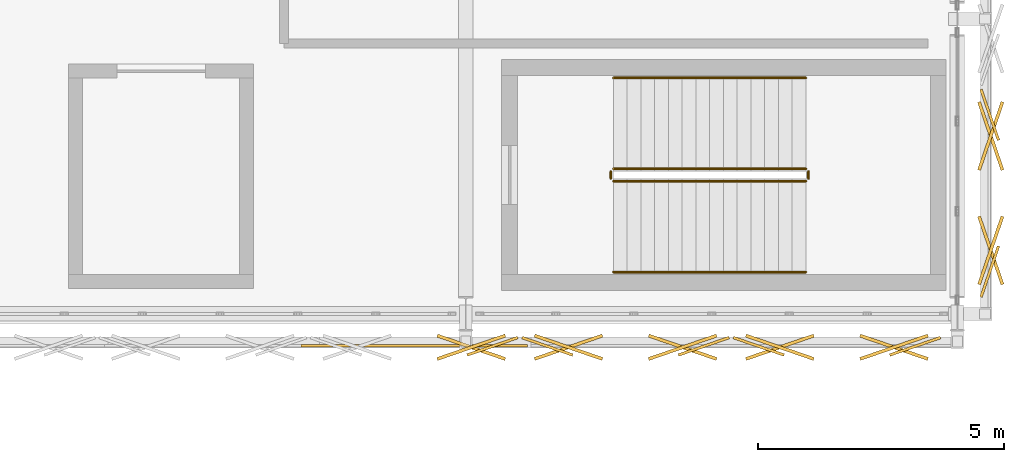
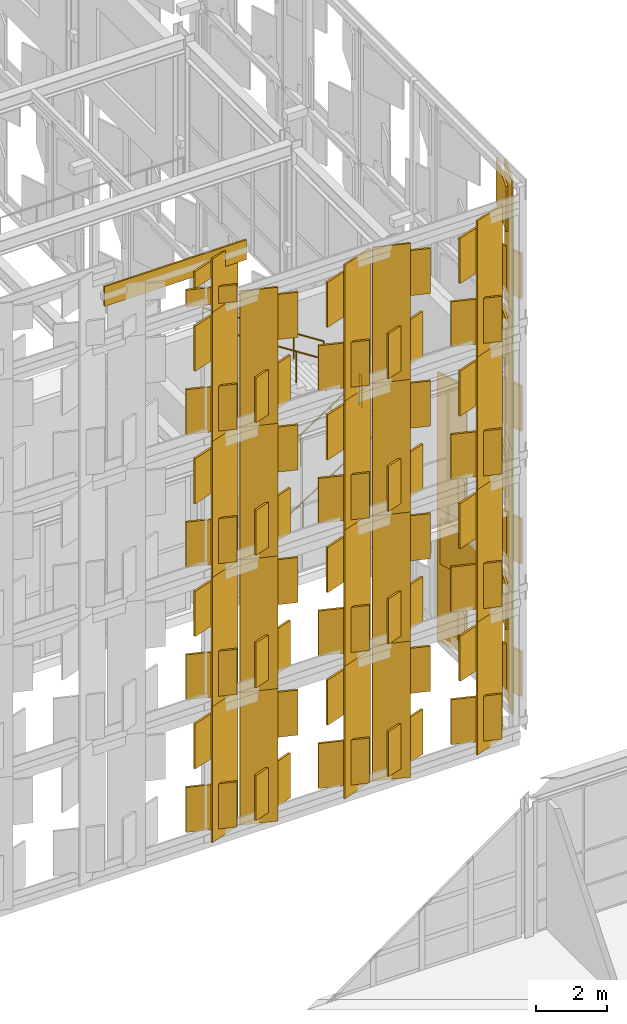
# One storey, part 232 of 239: 81 coverings, 6 railings.
"""IFC4 building model written with IfcOpenShell, lengths in metres."""

from ifc_helpers import new_model, si_unit, direction, frame, origin, origin_2d, place, context, subcontext, project, spatial, rectangle, circle, extrude, material, layer, layer_set, type_object, element, save


model = new_model("IFC4")

# Units and contexts
model_context = context("Model", 3, precision=1e-05, world=origin(), true_north=direction((0.0, 1.0)))
body_context = subcontext(model_context, "Body", "Model", "MODEL_VIEW")
ifc_project = project(units=[si_unit("LENGTHUNIT", "METRE"), si_unit("AREAUNIT", "SQUARE_METRE"), si_unit("VOLUMEUNIT", "CUBIC_METRE"), si_unit("PLANEANGLEUNIT", "RADIAN"), si_unit("MASSUNIT", "GRAM", prefix="KILO")], contexts=[model_context])

# Site, building, storey
site_placement = place(None, origin())
site = spatial("IfcSite", under=ifc_project, at=site_placement, CompositionType="ELEMENT")
building_placement = place(site_placement, origin())
building = spatial("IfcBuilding", under=site, at=building_placement, Name="Kaldris Quays Convention Centre", CompositionType="ELEMENT")
storey_placement = place(building_placement, frame((0.0, 0.0, 11.39990234375)))
storey = spatial("IfcBuildingStorey", under=building, at=storey_placement, Name="L02", CompositionType="ELEMENT", Elevation=11.39990234375)

# Railings
ifc_material_1 = material(Name="Steel S355J2", Category="steel")
railing_type_1 = type_object("IfcRailingType", Name="INTERIOR GUARDRAIL GR01", PredefinedType="GUARDRAIL", material=ifc_material_1)
railing_1_placement = place(storey_placement, frame((197.0, 58.699951171875, 0.18017578125)))
element("IfcRailing", 1, at=railing_1_placement, inside=storey, type_object=railing_type_1, Name="L02 ST09 Stair Guardrail 1", PredefinedType="GUARDRAIL", context=body_context, shape_type="SweptSolid", body=[
    extrude(circle(Radius=0.02392578125, at=origin_2d()), frame((0.0, 0.0, 1.076171875), z_axis=(0.841171666519, 0.0, 0.540768182723), x_axis=(0.0, 1.0, 0.0)), (0.0, 0.0, 1.0), 4.66015625),
    extrude(circle(Radius=0.02099609375, at=origin_2d()), origin(), (0.0, 0.0, 1.0), 1.052001953125),
    extrude(circle(Radius=0.02099609375, at=origin_2d()), frame((0.97998046875, 0.0, 0.6298828125)), (0.0, 0.0, 1.0), 1.052001953125),
    extrude(circle(Radius=0.02099609375, at=origin_2d()), frame((1.9599609375, 0.0, 1.260009765625)), (0.0, 0.0, 1.0), 1.052001953125),
    extrude(circle(Radius=0.02099609375, at=origin_2d()), frame((2.93994140625, 0.0, 1.89013671875)), (0.0, 0.0, 1.0), 1.052001953125),
    extrude(circle(Radius=0.02099609375, at=origin_2d()), frame((3.919921875, 0.0, 2.52001953125)), (0.0, 0.0, 1.0), 1.052001953125),
])
railing_2_placement = place(storey_placement, frame((200.969970703125, 58.75, 2.7001953125)))
element("IfcRailing", 2, at=railing_2_placement, inside=storey, type_object=railing_type_1, Name="L02 ST09 Stair Guardrail 2", PredefinedType="GUARDRAIL", context=body_context, shape_type="SweptSolid", body=[
    extrude(circle(Radius=0.02392578125, at=origin_2d()), frame((0.0, 0.0, 1.076171875), z_axis=(0.0, 1.0, 0.0), x_axis=(-1.0, 0.0, 0.0)), (0.0, 0.0, 1.0), 0.14990234375),
    extrude(circle(Radius=0.02099609375, at=origin_2d()), origin(), (0.0, 0.0, 1.0), 1.052001953125),
    extrude(circle(Radius=0.02099609375, at=origin_2d()), frame((0.0, 0.14990234375, 0.0)), (0.0, 0.0, 1.0), 1.052001953125),
])
railing_3_placement = place(storey_placement, frame((200.919921875, 58.949951171875, 2.880126953125)))
element("IfcRailing", 3, at=railing_3_placement, inside=storey, type_object=railing_type_1, Name="L02 ST09 Stair Guardrail 3", PredefinedType="GUARDRAIL", context=body_context, shape_type="SweptSolid", body=[
    extrude(circle(Radius=0.02392578125, at=origin_2d()), frame((0.0, 0.0, 1.076171875), z_axis=(-0.841171666519, 0.0, 0.540768182723), x_axis=(0.0, -1.0, 0.0)), (0.0, 0.0, 1.0), 4.66015625),
    extrude(circle(Radius=0.02099609375, at=origin_2d()), origin(), (0.0, 0.0, 1.0), 1.052001953125),
    extrude(circle(Radius=0.02099609375, at=origin_2d()), frame((-0.97998046875, 0.0, 0.6298828125)), (0.0, 0.0, 1.0), 1.052001953125),
    extrude(circle(Radius=0.02099609375, at=origin_2d()), frame((-1.9599609375, 0.0, 1.260009765625)), (0.0, 0.0, 1.0), 1.052001953125),
    extrude(circle(Radius=0.02099609375, at=origin_2d()), frame((-2.93994140625, 0.0, 1.89013671875)), (0.0, 0.0, 1.0), 1.052001953125),
    extrude(circle(Radius=0.02099609375, at=origin_2d()), frame((-3.919921875, 0.0, 2.52001953125)), (0.0, 0.0, 1.0), 1.052001953125),
])
railing_4_placement = place(storey_placement, frame((196.949951171875, 58.75, 0.0)))
element("IfcRailing", 4, at=railing_4_placement, inside=storey, type_object=railing_type_1, Name="L02 ST09 Stair Guardrail 4", PredefinedType="GUARDRAIL", context=body_context, shape_type="SweptSolid", body=[
    extrude(circle(Radius=0.02392578125, at=origin_2d()), frame((0.0, 0.0, 1.076171875), z_axis=(0.0, 1.0, 0.0), x_axis=(-1.0, 0.0, 0.0)), (0.0, 0.0, 1.0), 0.14990234375),
    extrude(circle(Radius=0.02099609375, at=origin_2d()), origin(), (0.0, 0.0, 1.0), 1.052001953125),
    extrude(circle(Radius=0.02099609375, at=origin_2d()), frame((0.0, 0.14990234375, 0.0)), (0.0, 0.0, 1.0), 1.052001953125),
])
ifc_material_2 = material(Name="Stainless steel 1.4301", Category="steel")
railing_type_2 = type_object("IfcRailingType", Name="STAIR HANDRAIL HR01", PredefinedType="HANDRAIL", material=ifc_material_2)
railing_5_placement = place(storey_placement, frame((197.0, 56.85009765625, 0.18017578125)))
element("IfcRailing", 5, at=railing_5_placement, inside=storey, type_object=railing_type_2, Name="L02 ST09 Flight Handrail 1", PredefinedType="HANDRAIL", context=body_context, shape_type="SweptSolid", body=[
    extrude(circle(Radius=0.02392578125, at=origin_2d()), frame((0.0, 0.0, 0.8759765625), z_axis=(0.841171666519, 0.0, 0.540768182723), x_axis=(0.0, 1.0, 0.0)), (0.0, 0.0, 1.0), 4.66015625),
    extrude(circle(Radius=0.02099609375, at=origin_2d()), origin(), (0.0, 0.0, 1.0), 0.851806640625),
    extrude(circle(Radius=0.02099609375, at=origin_2d()), frame((0.97998046875, 0.0, 0.6298828125)), (0.0, 0.0, 1.0), 0.851806640625),
    extrude(circle(Radius=0.02099609375, at=origin_2d()), frame((1.9599609375, 0.0, 1.260009765625)), (0.0, 0.0, 1.0), 0.851806640625),
    extrude(circle(Radius=0.02099609375, at=origin_2d()), frame((2.93994140625, 0.0, 1.89013671875)), (0.0, 0.0, 1.0), 0.851806640625),
    extrude(circle(Radius=0.02099609375, at=origin_2d()), frame((3.919921875, 0.0, 2.52001953125)), (0.0, 0.0, 1.0), 0.851806640625),
])
railing_6_placement = place(storey_placement, frame((200.919921875, 60.800048828125, 2.880126953125)))
element("IfcRailing", 6, at=railing_6_placement, inside=storey, type_object=railing_type_2, Name="L02 ST09 Flight Handrail 2", PredefinedType="HANDRAIL", context=body_context, shape_type="SweptSolid", body=[
    extrude(circle(Radius=0.02392578125, at=origin_2d()), frame((0.0, 0.0, 0.8759765625), z_axis=(-0.841171666519, 0.0, 0.540768182723), x_axis=(0.0, -1.0, 0.0)), (0.0, 0.0, 1.0), 4.66015625),
    extrude(circle(Radius=0.02099609375, at=origin_2d()), origin(), (0.0, 0.0, 1.0), 0.851806640625),
    extrude(circle(Radius=0.02099609375, at=origin_2d()), frame((-0.97998046875, 0.0, 0.6298828125)), (0.0, 0.0, 1.0), 0.851806640625),
    extrude(circle(Radius=0.02099609375, at=origin_2d()), frame((-1.9599609375, 0.0, 1.260009765625)), (0.0, 0.0, 1.0), 0.851806640625),
    extrude(circle(Radius=0.02099609375, at=origin_2d()), frame((-2.93994140625, 0.0, 1.89013671875)), (0.0, 0.0, 1.0), 0.851806640625),
    extrude(circle(Radius=0.02099609375, at=origin_2d()), frame((-3.919921875, 0.0, 2.52001953125)), (0.0, 0.0, 1.0), 0.851806640625),
])

# Coverings
ifc_material_3 = material(Name="Alabaster white star-pierced anodized aluminium panel", Category="aluminium")
ifc_layer = layer(ifc_material_3, 0.044921875)
ifc_layer_set = layer_set([ifc_layer], Name="Alabaster white star-pierced anodized aluminium panel")
covering_type = type_object("IfcCoveringType", Name="STAR PIERCED WHITE FOLDED SCREEN CL01", PredefinedType="CLADDING", material=ifc_layer_set)
for number, where, z_axis, x_axis, name in (
    (7, (204.659912109375, 56.860107421875, -7.60986328125), (0.0, 0.0, 1.0), (0.325568154457, 0.945518575599, 0.0), "V2E Folded White Screen Stile 1872"),
    (8, (204.659912109375, 60.048828125, -7.60986328125), (0.0, 0.0, 1.0), (-0.325568154457, 0.945518575599, 0.0), "V2E Folded White Screen Stile 1873"),
):
    element("IfcCovering", number, at=place(storey_placement, frame(where, z_axis=z_axis, x_axis=x_axis)), inside=storey, type_object=covering_type, Name=name, PredefinedType="CLADDING", context=body_context, shape_type="SweptSolid", body=[
        extrude(rectangle(XDim=1.093994140625, YDim=0.054931640625, at=origin_2d()), origin(), (0.0, 0.0, 1.0), 4.669921875),
    ])
for number, where, z_axis, x_axis, name in (
    (9, (204.679931640625, 57.291015625, -7.27685546875), (0.0, 0.0, 1.0), (-0.325568154457, 0.945518575599, 0.0), "V2E Carved Star Corner Facet 1874"),
    (10, (204.679931640625, 57.291015625, -4.81982421875), (0.0, 0.0, 1.0), (0.325568154457, 0.945518575599, 0.0), "V2E Carved Star Corner Facet 1875"),
    (11, (204.679931640625, 59.617919921875, -7.27685546875), (0.0, 0.0, 1.0), (0.325568154457, 0.945518575599, 0.0), "V2E Carved Star Corner Facet 1876"),
    (12, (204.679931640625, 59.617919921875, -4.81982421875), (0.0, 0.0, 1.0), (-0.325568154457, 0.945518575599, 0.0), "V2E Carved Star Corner Facet 1877"),
):
    element("IfcCovering", number, at=place(storey_placement, frame(where, z_axis=z_axis, x_axis=x_axis)), inside=storey, type_object=covering_type, Name=name, PredefinedType="CLADDING", context=body_context, shape_type="SweptSolid", body=[
        extrude(rectangle(XDim=1.465087890625, YDim=0.06494140625, at=origin_2d()), origin(), (0.0, 0.0, 1.0), 1.547119140625),
    ])
for number, where, z_axis, x_axis, name in (
    (13, (204.659912109375, 56.860107421875, -3.059814453125), (0.0, 0.0, 1.0), (0.325568154457, 0.945518575599, 0.0), "V2E Folded White Screen Stile 1878"),
    (14, (204.659912109375, 60.048828125, -3.059814453125), (0.0, 0.0, 1.0), (-0.325568154457, 0.945518575599, 0.0), "V2E Folded White Screen Stile 1879"),
):
    element("IfcCovering", number, at=place(storey_placement, frame(where, z_axis=z_axis, x_axis=x_axis)), inside=storey, type_object=covering_type, Name=name, PredefinedType="CLADDING", context=body_context, shape_type="SweptSolid", body=[
        extrude(rectangle(XDim=1.093994140625, YDim=0.054931640625, at=origin_2d()), origin(), (0.0, 0.0, 1.0), 4.669921875),
    ])
for number, where, z_axis, x_axis, name in (
    (15, (204.679931640625, 57.291015625, -2.72705078125), (0.0, 0.0, 1.0), (-0.325568154457, 0.945518575599, 0.0), "V2E Carved Star Corner Facet 1880"),
    (16, (204.679931640625, 57.291015625, -0.27001953125), (0.0, 0.0, 1.0), (0.325568154457, 0.945518575599, 0.0), "V2E Carved Star Corner Facet 1881"),
    (17, (204.679931640625, 59.617919921875, -2.72705078125), (0.0, 0.0, 1.0), (0.325568154457, 0.945518575599, 0.0), "V2E Carved Star Corner Facet 1882"),
):
    element("IfcCovering", number, at=place(storey_placement, frame(where, z_axis=z_axis, x_axis=x_axis)), inside=storey, type_object=covering_type, Name=name, PredefinedType="CLADDING", context=body_context, shape_type="SweptSolid", body=[
        extrude(rectangle(XDim=1.465087890625, YDim=0.06494140625, at=origin_2d()), origin(), (0.0, 0.0, 1.0), 1.547119140625),
    ])
covering_1_placement = place(storey_placement, frame((204.659912109375, 56.860107421875, 1.490234375), z_axis=(0.0, 0.0, 1.0), x_axis=(0.325568154457, 0.945518575599, 0.0)))
element("IfcCovering", 18, at=covering_1_placement, inside=storey, type_object=covering_type, Name="V2E Folded White Screen Stile 1884", PredefinedType="CLADDING", context=body_context, shape_type="SweptSolid", body=[
    extrude(rectangle(XDim=1.093994140625, YDim=0.054931640625, at=origin_2d()), origin(), (0.0, 0.0, 1.0), 4.669921875),
])
for number, where, z_axis, x_axis, name in (
    (19, (204.679931640625, 57.291015625, 1.8232421875), (0.0, 0.0, 1.0), (-0.325568154457, 0.945518575599, 0.0), "V2E Carved Star Corner Facet 1886"),
    (20, (204.679931640625, 57.291015625, 4.2802734375), (0.0, 0.0, 1.0), (0.325568154457, 0.945518575599, 0.0), "V2E Carved Star Corner Facet 1887"),
):
    element("IfcCovering", number, at=place(storey_placement, frame(where, z_axis=z_axis, x_axis=x_axis)), inside=storey, type_object=covering_type, Name=name, PredefinedType="CLADDING", context=body_context, shape_type="SweptSolid", body=[
        extrude(rectangle(XDim=1.465087890625, YDim=0.06494140625, at=origin_2d()), origin(), (0.0, 0.0, 1.0), 1.547119140625),
    ])
covering_2_placement = place(storey_placement, frame((204.659912109375, 56.860107421875, 6.0400390625), z_axis=(0.0, 0.0, 1.0), x_axis=(0.325568154457, 0.945518575599, 0.0)))
element("IfcCovering", 21, at=covering_2_placement, inside=storey, type_object=covering_type, Name="V2E Folded White Screen Stile 1890", PredefinedType="CLADDING", context=body_context, shape_type="SweptSolid", body=[
    extrude(rectangle(XDim=1.093994140625, YDim=0.054931640625, at=origin_2d()), origin(), (0.0, 0.0, 1.0), 4.669921875),
])
for number, where, z_axis, x_axis, name in (
    (22, (204.679931640625, 57.291015625, 6.373046875), (0.0, 0.0, 1.0), (-0.325568154457, 0.945518575599, 0.0), "V2E Carved Star Corner Facet 1892"),
    (23, (204.679931640625, 57.291015625, 8.830078125), (0.0, 0.0, 1.0), (0.325568154457, 0.945518575599, 0.0), "V2E Carved Star Corner Facet 1893"),
):
    element("IfcCovering", number, at=place(storey_placement, frame(where, z_axis=z_axis, x_axis=x_axis)), inside=storey, type_object=covering_type, Name=name, PredefinedType="CLADDING", context=body_context, shape_type="SweptSolid", body=[
        extrude(rectangle(XDim=1.465087890625, YDim=0.06494140625, at=origin_2d()), origin(), (0.0, 0.0, 1.0), 1.547119140625),
    ])
covering_3_placement = place(storey_placement, frame((192.949951171875, 55.35009765625, 11.865234375), z_axis=(0.0, 0.0, 1.0), x_axis=(1.0, 0.0, 0.0)))
element("IfcCovering", 24, at=covering_3_placement, inside=storey, type_object=covering_type, Name="V2S Gable White Screen Cap Band 2582", PredefinedType="CLADDING", context=body_context, shape_type="SweptSolid", body=[
    extrude(rectangle(XDim=4.60009765625, YDim=0.054931640625, at=origin_2d()), origin(), (0.0, 0.0, 1.0), 0.679931640625),
])
covering_4_placement = place(storey_placement, frame((194.541015625, 55.340087890625, -7.60986328125), z_axis=(0.0, 0.0, 1.0), x_axis=(0.945518575599, 0.325568154457, 0.0)))
element("IfcCovering", 25, at=covering_4_placement, inside=storey, type_object=covering_type, Name="V2S Folded White Screen Stile 2584", PredefinedType="CLADDING", context=body_context, shape_type="SweptSolid", body=[
    extrude(rectangle(XDim=1.091064453125, YDim=0.054931640625, at=origin_2d()), origin(), (0.0, 0.0, 1.0), 4.669921875),
])
for number, where, z_axis, x_axis, name in (
    (26, (194.111083984375, 55.320068359375, -7.27685546875), (0.0, 0.0, 1.0), (0.945518575599, -0.325568154457, 0.0), "V2S Carved Star Corner Facet 2587"),
    (27, (194.111083984375, 55.320068359375, -4.81982421875), (0.0, 0.0, 1.0), (0.945518575599, 0.325568154457, 0.0), "V2S Carved Star Corner Facet 2588"),
):
    element("IfcCovering", number, at=place(storey_placement, frame(where, z_axis=z_axis, x_axis=x_axis)), inside=storey, type_object=covering_type, Name=name, PredefinedType="CLADDING", context=body_context, shape_type="SweptSolid", body=[
        extrude(rectangle(XDim=1.4619140625, YDim=0.06494140625, at=origin_2d()), origin(), (0.0, 0.0, 1.0), 1.547119140625),
    ])
covering_5_placement = place(storey_placement, frame((194.541015625, 55.340087890625, -3.059814453125), z_axis=(0.0, 0.0, 1.0), x_axis=(0.945518575599, 0.325568154457, 0.0)))
element("IfcCovering", 28, at=covering_5_placement, inside=storey, type_object=covering_type, Name="V2S Folded White Screen Stile 2590", PredefinedType="CLADDING", context=body_context, shape_type="SweptSolid", body=[
    extrude(rectangle(XDim=1.091064453125, YDim=0.054931640625, at=origin_2d()), origin(), (0.0, 0.0, 1.0), 4.669921875),
])
for number, where, z_axis, x_axis, name in (
    (29, (194.111083984375, 55.320068359375, -2.72705078125), (0.0, 0.0, 1.0), (0.945518575599, -0.325568154457, 0.0), "V2S Carved Star Corner Facet 2593"),
    (30, (194.111083984375, 55.320068359375, -0.27001953125), (0.0, 0.0, 1.0), (0.945518575599, 0.325568154457, 0.0), "V2S Carved Star Corner Facet 2594"),
):
    element("IfcCovering", number, at=place(storey_placement, frame(where, z_axis=z_axis, x_axis=x_axis)), inside=storey, type_object=covering_type, Name=name, PredefinedType="CLADDING", context=body_context, shape_type="SweptSolid", body=[
        extrude(rectangle(XDim=1.4619140625, YDim=0.06494140625, at=origin_2d()), origin(), (0.0, 0.0, 1.0), 1.547119140625),
    ])
covering_6_placement = place(storey_placement, frame((194.541015625, 55.340087890625, 1.490234375), z_axis=(0.0, 0.0, 1.0), x_axis=(0.945518575599, 0.325568154457, 0.0)))
element("IfcCovering", 31, at=covering_6_placement, inside=storey, type_object=covering_type, Name="V2S Folded White Screen Stile 2596", PredefinedType="CLADDING", context=body_context, shape_type="SweptSolid", body=[
    extrude(rectangle(XDim=1.091064453125, YDim=0.054931640625, at=origin_2d()), origin(), (0.0, 0.0, 1.0), 4.669921875),
])
for number, where, z_axis, x_axis, name in (
    (32, (194.111083984375, 55.320068359375, 1.8232421875), (0.0, 0.0, 1.0), (0.945518575599, -0.325568154457, 0.0), "V2S Carved Star Corner Facet 2599"),
    (33, (194.111083984375, 55.320068359375, 4.2802734375), (0.0, 0.0, 1.0), (0.945518575599, 0.325568154457, 0.0), "V2S Carved Star Corner Facet 2600"),
):
    element("IfcCovering", number, at=place(storey_placement, frame(where, z_axis=z_axis, x_axis=x_axis)), inside=storey, type_object=covering_type, Name=name, PredefinedType="CLADDING", context=body_context, shape_type="SweptSolid", body=[
        extrude(rectangle(XDim=1.4619140625, YDim=0.06494140625, at=origin_2d()), origin(), (0.0, 0.0, 1.0), 1.547119140625),
    ])
covering_7_placement = place(storey_placement, frame((194.541015625, 55.340087890625, 6.0400390625), z_axis=(0.0, 0.0, 1.0), x_axis=(0.945518575599, 0.325568154457, 0.0)))
element("IfcCovering", 34, at=covering_7_placement, inside=storey, type_object=covering_type, Name="V2S Folded White Screen Stile 2602", PredefinedType="CLADDING", context=body_context, shape_type="SweptSolid", body=[
    extrude(rectangle(XDim=1.091064453125, YDim=0.054931640625, at=origin_2d()), origin(), (0.0, 0.0, 1.0), 4.669921875),
])
for number, where, z_axis, x_axis, name in (
    (35, (194.111083984375, 55.320068359375, 6.373046875), (0.0, 0.0, 1.0), (0.945518575599, -0.325568154457, 0.0), "V2S Carved Star Corner Facet 2605"),
    (36, (194.111083984375, 55.320068359375, 8.830078125), (0.0, 0.0, 1.0), (0.945518575599, 0.325568154457, 0.0), "V2S Carved Star Corner Facet 2606"),
):
    element("IfcCovering", number, at=place(storey_placement, frame(where, z_axis=z_axis, x_axis=x_axis)), inside=storey, type_object=covering_type, Name=name, PredefinedType="CLADDING", context=body_context, shape_type="SweptSolid", body=[
        extrude(rectangle(XDim=1.4619140625, YDim=0.06494140625, at=origin_2d()), origin(), (0.0, 0.0, 1.0), 1.547119140625),
    ])
covering_8_placement = place(storey_placement, frame((194.541015625, 55.340087890625, 10.59033203125), z_axis=(0.0, 0.0, 1.0), x_axis=(0.945518575599, 0.325568154457, 0.0)))
element("IfcCovering", 37, at=covering_8_placement, inside=storey, type_object=covering_type, Name="V2S Folded White Screen Stile 2608", PredefinedType="CLADDING", context=body_context, shape_type="SweptSolid", body=[
    extrude(rectangle(XDim=1.091064453125, YDim=0.054931640625, at=origin_2d()), origin(), (0.0, 0.0, 1.0), 1.824951171875),
])
for number, where, z_axis, x_axis, name in (
    (38, (194.111083984375, 55.320068359375, 10.752197265625), (0.0, 0.0, 1.0), (0.945518575599, -0.325568154457, 0.0), "V2S Carved Star Corner Facet 2611"),
    (39, (194.111083984375, 55.320068359375, 11.6728515625), (0.0, 0.0, 1.0), (0.945518575599, 0.325568154457, 0.0), "V2S Carved Star Corner Facet 2612"),
):
    element("IfcCovering", number, at=place(storey_placement, frame(where, z_axis=z_axis, x_axis=x_axis)), inside=storey, type_object=covering_type, Name=name, PredefinedType="CLADDING", context=body_context, shape_type="SweptSolid", body=[
        extrude(rectangle(XDim=1.4619140625, YDim=0.06494140625, at=origin_2d()), origin(), (0.0, 0.0, 1.0), 0.580078125),
    ])
for number, where, z_axis, x_axis, name in (
    (40, (195.658935546875, 55.340087890625, -7.60986328125), (0.0, 0.0, 1.0), (0.945518575599, -0.325568154457, 0.0), "V2S Folded White Screen Stile 2613"),
    (41, (198.841064453125, 55.340087890625, -7.60986328125), (0.0, 0.0, 1.0), (0.945518575599, 0.325568154457, 0.0), "V2S Folded White Screen Stile 2614"),
):
    element("IfcCovering", number, at=place(storey_placement, frame(where, z_axis=z_axis, x_axis=x_axis)), inside=storey, type_object=covering_type, Name=name, PredefinedType="CLADDING", context=body_context, shape_type="SweptSolid", body=[
        extrude(rectangle(XDim=1.091064453125, YDim=0.054931640625, at=origin_2d()), origin(), (0.0, 0.0, 1.0), 4.669921875),
    ])
for number, where, z_axis, x_axis, name in (
    (42, (196.089111328125, 55.320068359375, -7.27685546875), (0.0, 0.0, 1.0), (0.945518575599, 0.325568154457, 0.0), "V2S Carved Star Corner Facet 2615"),
    (43, (196.089111328125, 55.320068359375, -4.81982421875), (0.0, 0.0, 1.0), (0.945518575599, -0.325568154457, 0.0), "V2S Carved Star Corner Facet 2616"),
    (44, (198.410888671875, 55.320068359375, -7.27685546875), (0.0, 0.0, 1.0), (0.945518575599, -0.325568154457, 0.0), "V2S Carved Star Corner Facet 2617"),
    (45, (198.410888671875, 55.320068359375, -4.81982421875), (0.0, 0.0, 1.0), (0.945518575599, 0.325568154457, 0.0), "V2S Carved Star Corner Facet 2618"),
):
    element("IfcCovering", number, at=place(storey_placement, frame(where, z_axis=z_axis, x_axis=x_axis)), inside=storey, type_object=covering_type, Name=name, PredefinedType="CLADDING", context=body_context, shape_type="SweptSolid", body=[
        extrude(rectangle(XDim=1.4619140625, YDim=0.06494140625, at=origin_2d()), origin(), (0.0, 0.0, 1.0), 1.547119140625),
    ])
for number, where, z_axis, x_axis, name in (
    (46, (195.658935546875, 55.340087890625, -3.059814453125), (0.0, 0.0, 1.0), (0.945518575599, -0.325568154457, 0.0), "V2S Folded White Screen Stile 2619"),
    (47, (198.841064453125, 55.340087890625, -3.059814453125), (0.0, 0.0, 1.0), (0.945518575599, 0.325568154457, 0.0), "V2S Folded White Screen Stile 2620"),
):
    element("IfcCovering", number, at=place(storey_placement, frame(where, z_axis=z_axis, x_axis=x_axis)), inside=storey, type_object=covering_type, Name=name, PredefinedType="CLADDING", context=body_context, shape_type="SweptSolid", body=[
        extrude(rectangle(XDim=1.091064453125, YDim=0.054931640625, at=origin_2d()), origin(), (0.0, 0.0, 1.0), 4.669921875),
    ])
for number, where, z_axis, x_axis, name in (
    (48, (196.089111328125, 55.320068359375, -2.72705078125), (0.0, 0.0, 1.0), (0.945518575599, 0.325568154457, 0.0), "V2S Carved Star Corner Facet 2621"),
    (49, (196.089111328125, 55.320068359375, -0.27001953125), (0.0, 0.0, 1.0), (0.945518575599, -0.325568154457, 0.0), "V2S Carved Star Corner Facet 2622"),
    (50, (198.410888671875, 55.320068359375, -2.72705078125), (0.0, 0.0, 1.0), (0.945518575599, -0.325568154457, 0.0), "V2S Carved Star Corner Facet 2623"),
    (51, (198.410888671875, 55.320068359375, -0.27001953125), (0.0, 0.0, 1.0), (0.945518575599, 0.325568154457, 0.0), "V2S Carved Star Corner Facet 2624"),
):
    element("IfcCovering", number, at=place(storey_placement, frame(where, z_axis=z_axis, x_axis=x_axis)), inside=storey, type_object=covering_type, Name=name, PredefinedType="CLADDING", context=body_context, shape_type="SweptSolid", body=[
        extrude(rectangle(XDim=1.4619140625, YDim=0.06494140625, at=origin_2d()), origin(), (0.0, 0.0, 1.0), 1.547119140625),
    ])
for number, where, z_axis, x_axis, name in (
    (52, (195.658935546875, 55.340087890625, 1.490234375), (0.0, 0.0, 1.0), (0.945518575599, -0.325568154457, 0.0), "V2S Folded White Screen Stile 2625"),
    (53, (198.841064453125, 55.340087890625, 1.490234375), (0.0, 0.0, 1.0), (0.945518575599, 0.325568154457, 0.0), "V2S Folded White Screen Stile 2626"),
):
    element("IfcCovering", number, at=place(storey_placement, frame(where, z_axis=z_axis, x_axis=x_axis)), inside=storey, type_object=covering_type, Name=name, PredefinedType="CLADDING", context=body_context, shape_type="SweptSolid", body=[
        extrude(rectangle(XDim=1.091064453125, YDim=0.054931640625, at=origin_2d()), origin(), (0.0, 0.0, 1.0), 4.669921875),
    ])
for number, where, z_axis, x_axis, name in (
    (54, (196.089111328125, 55.320068359375, 1.8232421875), (0.0, 0.0, 1.0), (0.945518575599, 0.325568154457, 0.0), "V2S Carved Star Corner Facet 2627"),
    (55, (196.089111328125, 55.320068359375, 4.2802734375), (0.0, 0.0, 1.0), (0.945518575599, -0.325568154457, 0.0), "V2S Carved Star Corner Facet 2628"),
    (56, (198.410888671875, 55.320068359375, 1.8232421875), (0.0, 0.0, 1.0), (0.945518575599, -0.325568154457, 0.0), "V2S Carved Star Corner Facet 2629"),
    (57, (198.410888671875, 55.320068359375, 4.2802734375), (0.0, 0.0, 1.0), (0.945518575599, 0.325568154457, 0.0), "V2S Carved Star Corner Facet 2630"),
):
    element("IfcCovering", number, at=place(storey_placement, frame(where, z_axis=z_axis, x_axis=x_axis)), inside=storey, type_object=covering_type, Name=name, PredefinedType="CLADDING", context=body_context, shape_type="SweptSolid", body=[
        extrude(rectangle(XDim=1.4619140625, YDim=0.06494140625, at=origin_2d()), origin(), (0.0, 0.0, 1.0), 1.547119140625),
    ])
for number, where, z_axis, x_axis, name in (
    (58, (195.658935546875, 55.340087890625, 6.0400390625), (0.0, 0.0, 1.0), (0.945518575599, -0.325568154457, 0.0), "V2S Folded White Screen Stile 2631"),
    (59, (198.841064453125, 55.340087890625, 6.0400390625), (0.0, 0.0, 1.0), (0.945518575599, 0.325568154457, 0.0), "V2S Folded White Screen Stile 2632"),
):
    element("IfcCovering", number, at=place(storey_placement, frame(where, z_axis=z_axis, x_axis=x_axis)), inside=storey, type_object=covering_type, Name=name, PredefinedType="CLADDING", context=body_context, shape_type="SweptSolid", body=[
        extrude(rectangle(XDim=1.091064453125, YDim=0.054931640625, at=origin_2d()), origin(), (0.0, 0.0, 1.0), 4.669921875),
    ])
for number, where, z_axis, x_axis, name in (
    (60, (196.089111328125, 55.320068359375, 6.373046875), (0.0, 0.0, 1.0), (0.945518575599, 0.325568154457, 0.0), "V2S Carved Star Corner Facet 2633"),
    (61, (196.089111328125, 55.320068359375, 8.830078125), (0.0, 0.0, 1.0), (0.945518575599, -0.325568154457, 0.0), "V2S Carved Star Corner Facet 2634"),
    (62, (198.410888671875, 55.320068359375, 6.373046875), (0.0, 0.0, 1.0), (0.945518575599, -0.325568154457, 0.0), "V2S Carved Star Corner Facet 2635"),
    (63, (198.410888671875, 55.320068359375, 8.830078125), (0.0, 0.0, 1.0), (0.945518575599, 0.325568154457, 0.0), "V2S Carved Star Corner Facet 2636"),
):
    element("IfcCovering", number, at=place(storey_placement, frame(where, z_axis=z_axis, x_axis=x_axis)), inside=storey, type_object=covering_type, Name=name, PredefinedType="CLADDING", context=body_context, shape_type="SweptSolid", body=[
        extrude(rectangle(XDim=1.4619140625, YDim=0.06494140625, at=origin_2d()), origin(), (0.0, 0.0, 1.0), 1.547119140625),
    ])
for number, where, z_axis, x_axis, name in (
    (64, (199.958984375, 55.340087890625, -7.60986328125), (0.0, 0.0, 1.0), (0.945518575599, -0.325568154457, 0.0), "V2S Folded White Screen Stile 2637"),
    (65, (203.14111328125, 55.340087890625, -7.60986328125), (0.0, 0.0, 1.0), (0.945518575599, 0.325568154457, 0.0), "V2S Folded White Screen Stile 2638"),
):
    element("IfcCovering", number, at=place(storey_placement, frame(where, z_axis=z_axis, x_axis=x_axis)), inside=storey, type_object=covering_type, Name=name, PredefinedType="CLADDING", context=body_context, shape_type="SweptSolid", body=[
        extrude(rectangle(XDim=1.091064453125, YDim=0.054931640625, at=origin_2d()), origin(), (0.0, 0.0, 1.0), 4.669921875),
    ])
for number, where, z_axis, x_axis, name in (
    (66, (200.388916015625, 55.320068359375, -7.27685546875), (0.0, 0.0, 1.0), (0.945518575599, 0.325568154457, 0.0), "V2S Carved Star Corner Facet 2639"),
    (67, (200.388916015625, 55.320068359375, -4.81982421875), (0.0, 0.0, 1.0), (0.945518575599, -0.325568154457, 0.0), "V2S Carved Star Corner Facet 2640"),
    (68, (202.7109375, 55.320068359375, -7.27685546875), (0.0, 0.0, 1.0), (0.945518575599, -0.325568154457, 0.0), "V2S Carved Star Corner Facet 2641"),
    (69, (202.7109375, 55.320068359375, -4.81982421875), (0.0, 0.0, 1.0), (0.945518575599, 0.325568154457, 0.0), "V2S Carved Star Corner Facet 2642"),
):
    element("IfcCovering", number, at=place(storey_placement, frame(where, z_axis=z_axis, x_axis=x_axis)), inside=storey, type_object=covering_type, Name=name, PredefinedType="CLADDING", context=body_context, shape_type="SweptSolid", body=[
        extrude(rectangle(XDim=1.4619140625, YDim=0.06494140625, at=origin_2d()), origin(), (0.0, 0.0, 1.0), 1.547119140625),
    ])
for number, where, z_axis, x_axis, name in (
    (70, (199.958984375, 55.340087890625, -3.059814453125), (0.0, 0.0, 1.0), (0.945518575599, -0.325568154457, 0.0), "V2S Folded White Screen Stile 2643"),
    (71, (203.14111328125, 55.340087890625, -3.059814453125), (0.0, 0.0, 1.0), (0.945518575599, 0.325568154457, 0.0), "V2S Folded White Screen Stile 2644"),
):
    element("IfcCovering", number, at=place(storey_placement, frame(where, z_axis=z_axis, x_axis=x_axis)), inside=storey, type_object=covering_type, Name=name, PredefinedType="CLADDING", context=body_context, shape_type="SweptSolid", body=[
        extrude(rectangle(XDim=1.091064453125, YDim=0.054931640625, at=origin_2d()), origin(), (0.0, 0.0, 1.0), 4.669921875),
    ])
for number, where, z_axis, x_axis, name in (
    (72, (200.388916015625, 55.320068359375, -2.72705078125), (0.0, 0.0, 1.0), (0.945518575599, 0.325568154457, 0.0), "V2S Carved Star Corner Facet 2645"),
    (73, (200.388916015625, 55.320068359375, -0.27001953125), (0.0, 0.0, 1.0), (0.945518575599, -0.325568154457, 0.0), "V2S Carved Star Corner Facet 2646"),
    (74, (202.7109375, 55.320068359375, -2.72705078125), (0.0, 0.0, 1.0), (0.945518575599, -0.325568154457, 0.0), "V2S Carved Star Corner Facet 2647"),
    (75, (202.7109375, 55.320068359375, -0.27001953125), (0.0, 0.0, 1.0), (0.945518575599, 0.325568154457, 0.0), "V2S Carved Star Corner Facet 2648"),
):
    element("IfcCovering", number, at=place(storey_placement, frame(where, z_axis=z_axis, x_axis=x_axis)), inside=storey, type_object=covering_type, Name=name, PredefinedType="CLADDING", context=body_context, shape_type="SweptSolid", body=[
        extrude(rectangle(XDim=1.4619140625, YDim=0.06494140625, at=origin_2d()), origin(), (0.0, 0.0, 1.0), 1.547119140625),
    ])
for number, where, z_axis, x_axis, name in (
    (76, (199.958984375, 55.340087890625, 1.490234375), (0.0, 0.0, 1.0), (0.945518575599, -0.325568154457, 0.0), "V2S Folded White Screen Stile 2649"),
    (77, (203.14111328125, 55.340087890625, 1.490234375), (0.0, 0.0, 1.0), (0.945518575599, 0.325568154457, 0.0), "V2S Folded White Screen Stile 2650"),
):
    element("IfcCovering", number, at=place(storey_placement, frame(where, z_axis=z_axis, x_axis=x_axis)), inside=storey, type_object=covering_type, Name=name, PredefinedType="CLADDING", context=body_context, shape_type="SweptSolid", body=[
        extrude(rectangle(XDim=1.091064453125, YDim=0.054931640625, at=origin_2d()), origin(), (0.0, 0.0, 1.0), 4.669921875),
    ])
for number, where, z_axis, x_axis, name in (
    (78, (200.388916015625, 55.320068359375, 1.8232421875), (0.0, 0.0, 1.0), (0.945518575599, 0.325568154457, 0.0), "V2S Carved Star Corner Facet 2651"),
    (79, (200.388916015625, 55.320068359375, 4.2802734375), (0.0, 0.0, 1.0), (0.945518575599, -0.325568154457, 0.0), "V2S Carved Star Corner Facet 2652"),
    (80, (202.7109375, 55.320068359375, 1.8232421875), (0.0, 0.0, 1.0), (0.945518575599, -0.325568154457, 0.0), "V2S Carved Star Corner Facet 2653"),
    (81, (202.7109375, 55.320068359375, 4.2802734375), (0.0, 0.0, 1.0), (0.945518575599, 0.325568154457, 0.0), "V2S Carved Star Corner Facet 2654"),
):
    element("IfcCovering", number, at=place(storey_placement, frame(where, z_axis=z_axis, x_axis=x_axis)), inside=storey, type_object=covering_type, Name=name, PredefinedType="CLADDING", context=body_context, shape_type="SweptSolid", body=[
        extrude(rectangle(XDim=1.4619140625, YDim=0.06494140625, at=origin_2d()), origin(), (0.0, 0.0, 1.0), 1.547119140625),
    ])
for number, where, z_axis, x_axis, name in (
    (82, (199.958984375, 55.340087890625, 6.0400390625), (0.0, 0.0, 1.0), (0.945518575599, -0.325568154457, 0.0), "V2S Folded White Screen Stile 2655"),
    (83, (203.14111328125, 55.340087890625, 6.0400390625), (0.0, 0.0, 1.0), (0.945518575599, 0.325568154457, 0.0), "V2S Folded White Screen Stile 2656"),
):
    element("IfcCovering", number, at=place(storey_placement, frame(where, z_axis=z_axis, x_axis=x_axis)), inside=storey, type_object=covering_type, Name=name, PredefinedType="CLADDING", context=body_context, shape_type="SweptSolid", body=[
        extrude(rectangle(XDim=1.091064453125, YDim=0.054931640625, at=origin_2d()), origin(), (0.0, 0.0, 1.0), 4.669921875),
    ])
for number, where, z_axis, x_axis, name in (
    (84, (200.388916015625, 55.320068359375, 6.373046875), (0.0, 0.0, 1.0), (0.945518575599, 0.325568154457, 0.0), "V2S Carved Star Corner Facet 2657"),
    (85, (200.388916015625, 55.320068359375, 8.830078125), (0.0, 0.0, 1.0), (0.945518575599, -0.325568154457, 0.0), "V2S Carved Star Corner Facet 2658"),
    (86, (202.7109375, 55.320068359375, 6.373046875), (0.0, 0.0, 1.0), (0.945518575599, -0.325568154457, 0.0), "V2S Carved Star Corner Facet 2659"),
    (87, (202.7109375, 55.320068359375, 8.830078125), (0.0, 0.0, 1.0), (0.945518575599, 0.325568154457, 0.0), "V2S Carved Star Corner Facet 2660"),
):
    element("IfcCovering", number, at=place(storey_placement, frame(where, z_axis=z_axis, x_axis=x_axis)), inside=storey, type_object=covering_type, Name=name, PredefinedType="CLADDING", context=body_context, shape_type="SweptSolid", body=[
        extrude(rectangle(XDim=1.4619140625, YDim=0.06494140625, at=origin_2d()), origin(), (0.0, 0.0, 1.0), 1.547119140625),
    ])

save(model, "model.ifc")
